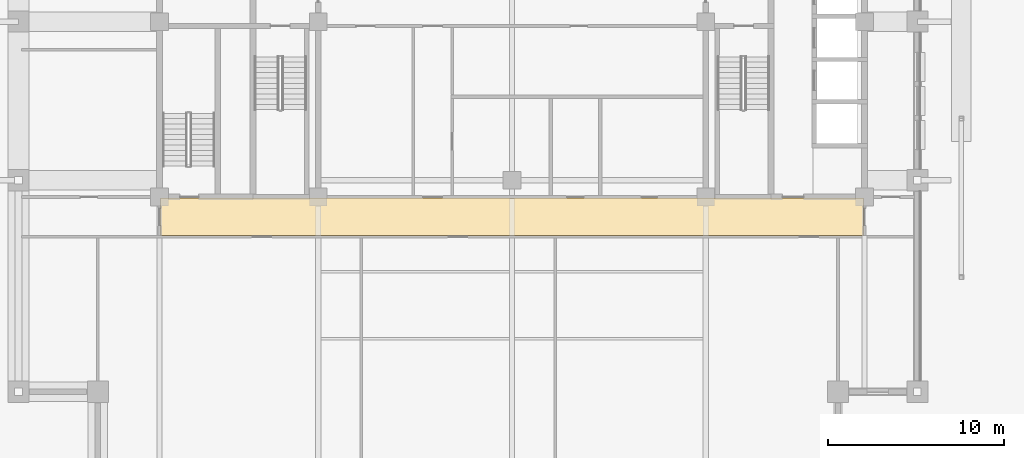
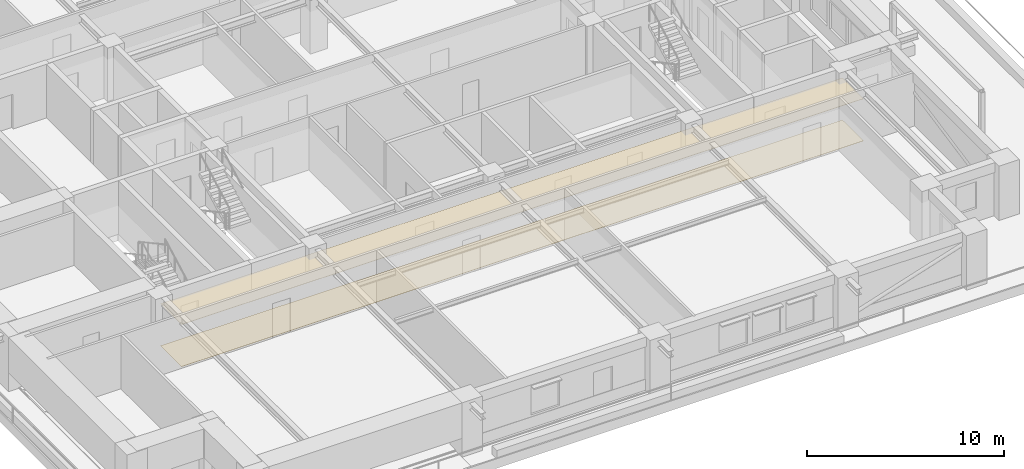
# One storey, part 14 of 17: 2 coverings.
"""IFC4 building model written with IfcOpenShell, lengths in metres."""

from ifc_helpers import new_model, si_unit, direction, frame, origin, place, context, subcontext, project, spatial, polyline, outline, extrude, material, layer, layer_set, type_object, element, save


model = new_model("IFC4")

# Units and contexts
model_context = context("Model", 3, precision=1e-05, world=origin(), true_north=direction((0.0, 1.0)))
body_context = subcontext(model_context, "Body", "Model", "MODEL_VIEW")
ifc_project = project(units=[si_unit("LENGTHUNIT", "METRE"), si_unit("AREAUNIT", "SQUARE_METRE"), si_unit("VOLUMEUNIT", "CUBIC_METRE"), si_unit("PLANEANGLEUNIT", "RADIAN"), si_unit("MASSUNIT", "GRAM", prefix="KILO")], contexts=[model_context])

# Site, building, storey
site_placement = place(None, origin())
site = spatial("IfcSite", under=ifc_project, at=site_placement, CompositionType="ELEMENT")
building_placement = place(site_placement, origin())
building = spatial("IfcBuilding", under=site, at=building_placement, Name="Zulmaris Gate Convention Tower", CompositionType="ELEMENT")
storey_placement = place(building_placement, frame((0.0, 0.0, 121.349853515625)))
storey = spatial("IfcBuildingStorey", under=building, at=storey_placement, Name="L30", CompositionType="ELEMENT", Elevation=121.349853515625)

# Coverings
ifc_material_1 = material(Name="Mineral Fibre Acoustic Ceiling Tile")
ifc_layer_1 = layer(ifc_material_1, 0.02001953125, Name="Mineral Fibre Acoustic Ceiling Tile")
ifc_layer_set_1 = layer_set([ifc_layer_1], Name="Mineral Fibre Acoustic Ceiling Tile")
covering_type_1 = type_object("IfcCoveringType", Name="CLG-ACOUSTIC-600", PredefinedType="CEILING", material=ifc_layer_set_1)
covering_1_placement = place(storey_placement, frame((0.0, 0.0, 2.60302734375)))
element("IfcCovering", 1, at=covering_1_placement, inside=storey, type_object=covering_type_1, Name="CLG-L30-R27", PredefinedType="CEILING", context=body_context, shape_type="SweptSolid", body=[
    extrude(outline(polyline([(-19.93994140625, -12.139892578125), (19.93994140625, -12.139892578125), (19.93994140625, -10.010009765625), (-19.93994140625, -10.010009765625), (-19.93994140625, -12.139892578125)])), origin(), (0.0, 0.0, 1.0), 0.02001953125),
])
ifc_material_2 = material(Name="Woven Acoustic Wool Carpet Tile")
ifc_layer_2 = layer(ifc_material_2, 0.02001953125, Name="Woven Acoustic Wool Carpet Tile")
ifc_layer_set_2 = layer_set([ifc_layer_2], Name="Woven Acoustic Wool Carpet Tile")
covering_type_2 = type_object("IfcCoveringType", Name="FLR-CARPET-12", PredefinedType="FLOORING", material=ifc_layer_set_2)
covering_2_placement = place(storey_placement, origin())
element("IfcCovering", 2, at=covering_2_placement, inside=storey, type_object=covering_type_2, Name="FLR-L30-R27", PredefinedType="FLOORING", context=body_context, shape_type="SweptSolid", body=[
    extrude(outline(polyline([(-19.93994140625, -12.139892578125), (19.93994140625, -12.139892578125), (19.93994140625, -10.010009765625), (-19.93994140625, -10.010009765625), (-19.93994140625, -12.139892578125)])), origin(), (0.0, 0.0, 1.0), 0.02001953125),
])

save(model, "model.ifc")
